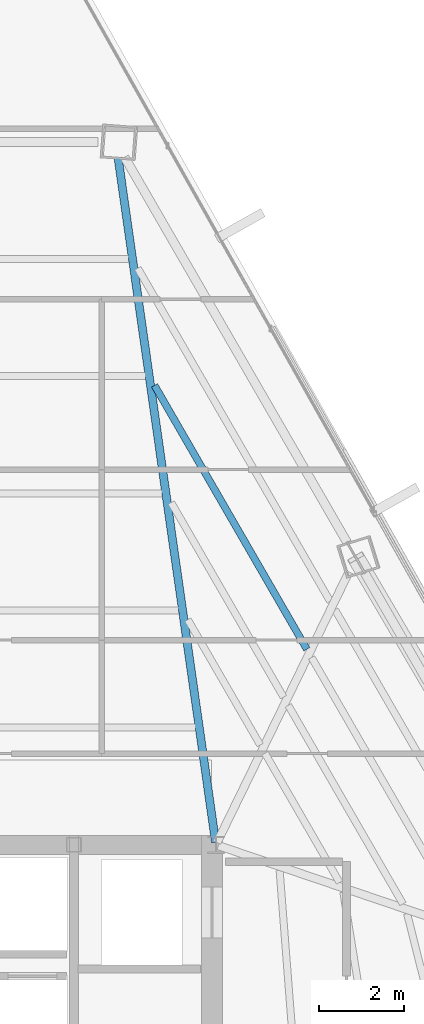
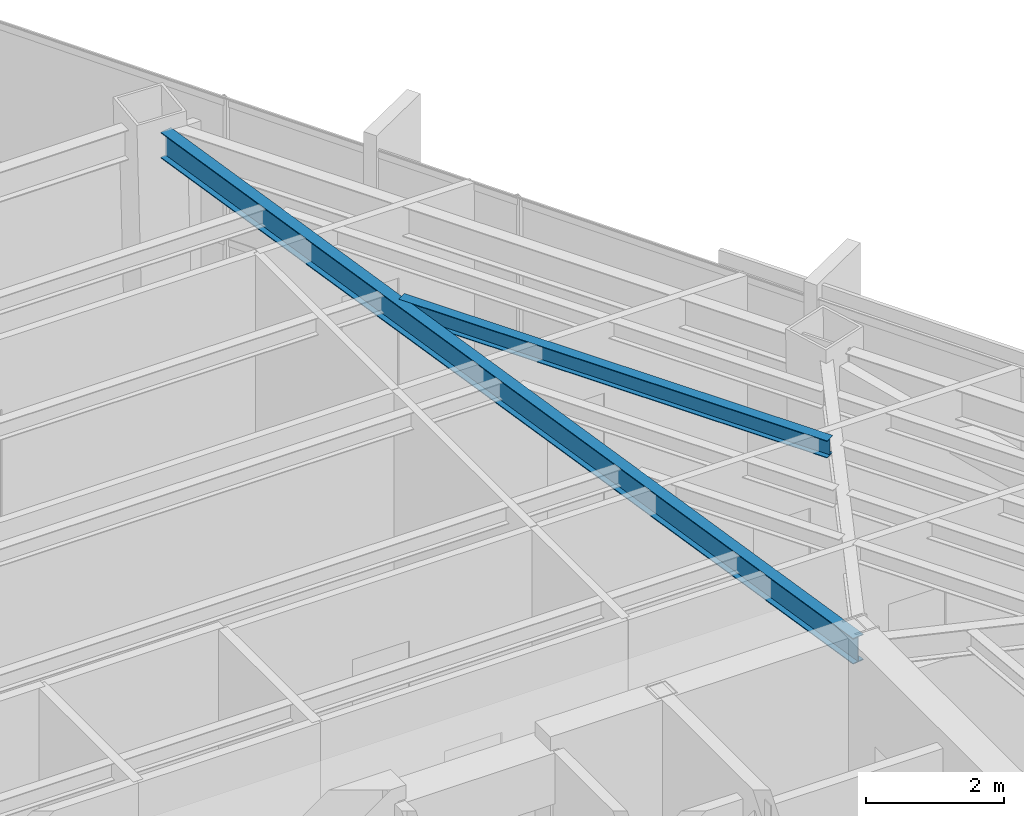
# One storey, part 26 of 44: 2 beams.
"""IFC4 building model written with IfcOpenShell, lengths in metres."""

from ifc_helpers import new_model, si_unit, direction, frame, origin, origin_2d, place, context, subcontext, project, spatial, i_section, extrude, source, transform, mapped, material, material_profile, profile_set, type_object, type_shapes, element, save


model = new_model("IFC4")

# Units and contexts
model_context = context("Model", 3, precision=1e-05, world=origin(), true_north=direction((0.0, 1.0)))
body_context = subcontext(model_context, "Body", "Model", "MODEL_VIEW")
ifc_project = project(units=[si_unit("LENGTHUNIT", "METRE"), si_unit("AREAUNIT", "SQUARE_METRE"), si_unit("VOLUMEUNIT", "CUBIC_METRE"), si_unit("PLANEANGLEUNIT", "RADIAN"), si_unit("MASSUNIT", "GRAM", prefix="KILO")], contexts=[model_context])

# Site, building, storey
site_placement = place(None, origin())
site = spatial("IfcSite", under=ifc_project, at=site_placement, CompositionType="ELEMENT")
building_placement = place(site_placement, origin())
building = spatial("IfcBuilding", under=site, at=building_placement, Name="Caelisora Broadcast Tower", CompositionType="ELEMENT")
storey_placement = place(building_placement, frame((0.0, 0.0, 198.64990234375)))
storey = spatial("IfcBuildingStorey", under=building, at=storey_placement, Name="L52", CompositionType="ELEMENT", Elevation=198.64990234375)

# Beams
ifc_material = material(Name="Steel Grade 350 (AS/NZS 3679.1)", Category="steel")
ifc_material_profile_1 = material_profile(ifc_material, i_section(OverallWidth=0.19091796875, OverallDepth=0.46044921875, WebThickness=0.010009765625, FlangeThickness=0.01611328125, at=origin_2d()), Name="Steel Grade 350 (AS/NZS 3679.1)")
ifc_profile_set_1 = profile_set([ifc_material_profile_1], Name="Steel Grade 350 (AS/NZS 3679.1)")
beam_type_1 = type_object("IfcBeamType", Name="PG06", PredefinedType="BEAM", material=ifc_profile_set_1)
shared_shape_1 = source(origin(), body_context, "Body", "SweptSolid", [
    extrude(i_section(OverallWidth=0.19091796875, OverallDepth=0.46044921875, WebThickness=0.010009765625, FlangeThickness=0.01611328125, at=origin_2d()), origin(), (0.0, 0.0, 1.0), 16.31103515625),
])
type_shapes(beam_type_1, [shared_shape_1])
beam_1_placement = place(storey_placement, frame((45.491455078125, 30.059326171875, 3.169921875), z_axis=(-0.141012720131, 0.990007784192, 0.0), x_axis=(-0.990007784192, -0.141012720131, 0.0)))
element("IfcBeam", 1, at=beam_1_placement, inside=storey, type_object=beam_type_1, Name="L52 beam PG06", PredefinedType="BEAM", context=body_context, shape_type="MappedRepresentation", body=[
    mapped(shared_shape_1, transform((0.0, 0.0, 0.0), scale=1.0)),
])
ifc_material_profile_2 = material_profile(ifc_material, i_section(OverallWidth=0.166015625, OverallDepth=0.30712890625, WebThickness=0.006591796875, FlangeThickness=0.01171875, at=origin_2d()), Name="Steel Grade 350 (AS/NZS 3679.1)")
ifc_profile_set_2 = profile_set([ifc_material_profile_2], Name="Steel Grade 350 (AS/NZS 3679.1)")
beam_type_2 = type_object("IfcBeamType", Name="SB03", PredefinedType="JOIST", material=ifc_profile_set_2)
shared_shape_2 = source(origin(), body_context, "Body", "SweptSolid", [
    extrude(i_section(OverallWidth=0.166015625, OverallDepth=0.30712890625, WebThickness=0.006591796875, FlangeThickness=0.01171875, at=origin_2d()), origin(), (0.0, 0.0, 1.0), 7.1884765625),
])
type_shapes(beam_type_2, [shared_shape_2])
beam_2_placement = place(storey_placement, frame((47.64404296875, 34.612548828125, 3.24658203125), z_axis=(-0.500003705853, 0.866023264199, 0.0), x_axis=(-0.866023264199, -0.500003705853, 0.0)))
element("IfcBeam", 2, at=beam_2_placement, inside=storey, type_object=beam_type_2, Name="L52 beam SB03", PredefinedType="JOIST", context=body_context, shape_type="MappedRepresentation", body=[
    mapped(shared_shape_2, transform((0.0, 0.0, 0.0), scale=1.0)),
])

save(model, "model.ifc")
